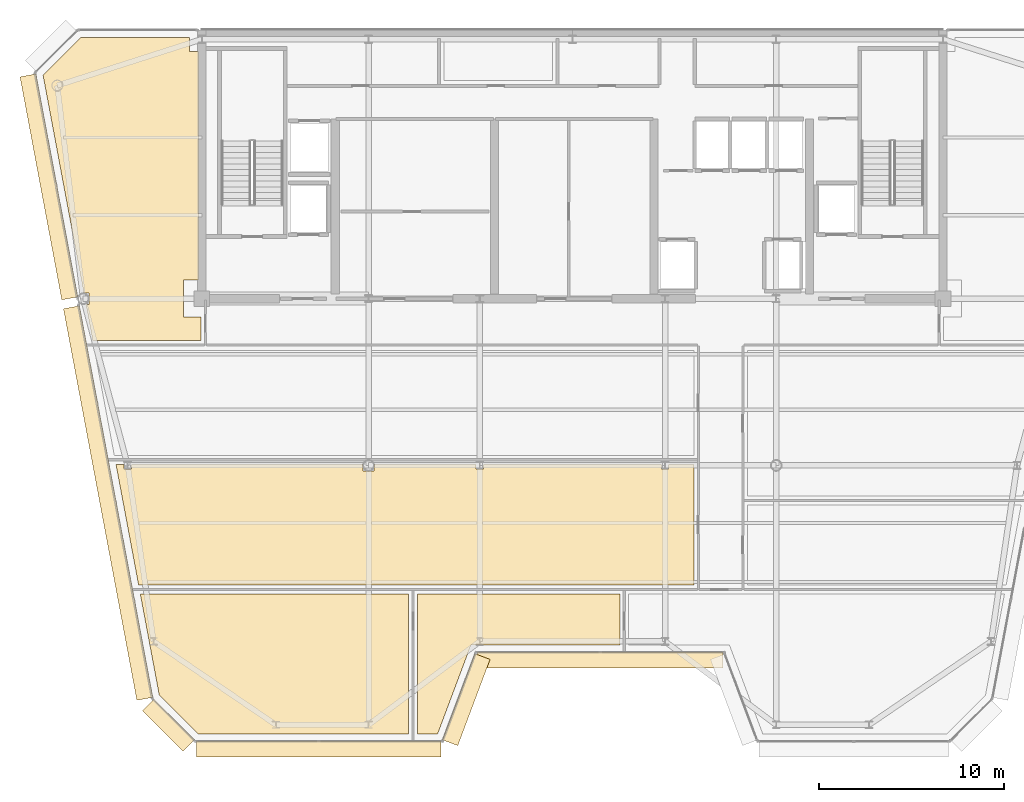
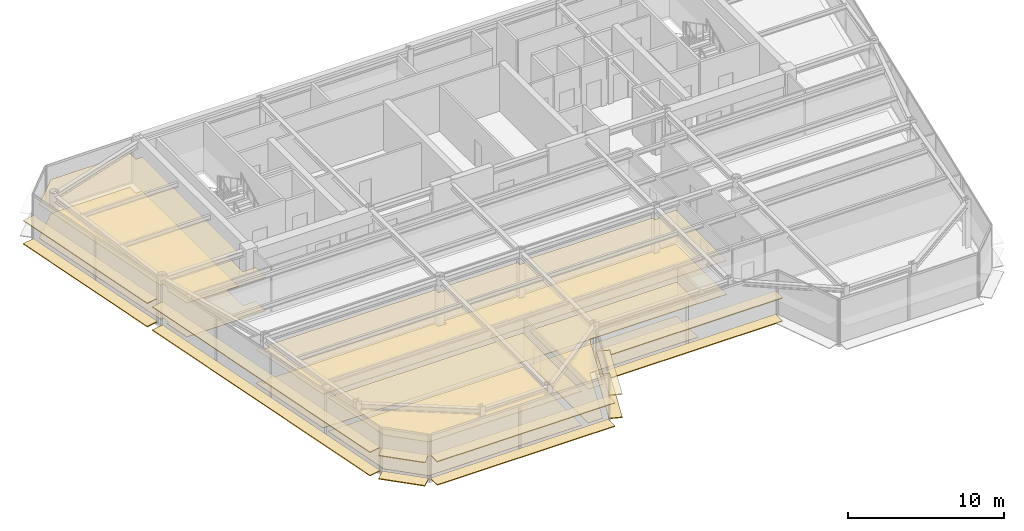
# One storey, part 13 of 19: 20 coverings.
"""IFC4 building model written with IfcOpenShell, lengths in metres."""

from ifc_helpers import new_model, si_unit, direction, frame, origin, origin_2d, place, context, subcontext, project, spatial, polyline, rectangle, outline, extrude, source, transform, mapped, material, layer, layer_set, type_object, element, save


model = new_model("IFC4")

# Units and contexts
model_context = context("Model", 3, precision=1e-05, world=origin(), true_north=direction((0.0, 1.0)))
body_context = subcontext(model_context, "Body", "Model", "MODEL_VIEW")
ifc_project = project(units=[si_unit("LENGTHUNIT", "METRE"), si_unit("AREAUNIT", "SQUARE_METRE"), si_unit("VOLUMEUNIT", "CUBIC_METRE"), si_unit("PLANEANGLEUNIT", "RADIAN"), si_unit("MASSUNIT", "GRAM", prefix="KILO")], contexts=[model_context])

# Site, building, storey
site_placement = place(None, origin())
site = spatial("IfcSite", under=ifc_project, at=site_placement, CompositionType="ELEMENT")
building_placement = place(site_placement, origin())
building = spatial("IfcBuilding", under=site, at=building_placement, Name="Vaeldorn Concourse Tower", CompositionType="ELEMENT")
storey_placement = place(building_placement, frame((0.0, 0.0, 287.800048828125)))
storey = spatial("IfcBuildingStorey", under=building, at=storey_placement, Name="L74", CompositionType="ELEMENT", Elevation=287.800048828125)

# Coverings
ifc_material_1 = material(Name="Acoustic Mineral Fibre Board", Category="gypsum")
ifc_layer_1 = layer(ifc_material_1, 0.0400390625)
ifc_layer_set_1 = layer_set([ifc_layer_1], Name="Acoustic Mineral Fibre Board")
covering_type_1 = type_object("IfcCoveringType", Name="COV-CEIL-ACOUSTIC", PredefinedType="CEILING", material=ifc_layer_set_1)
covering_1_placement = place(storey_placement, frame((0.0, 0.0, 2.64990234375)))
element("IfcCovering", 1, at=covering_1_placement, inside=storey, type_object=covering_type_1, Name="Suspended Acoustic Ceiling L74-3", PredefinedType="CEILING", context=body_context, shape_type="SweptSolid", body=[
    extrude(outline(polyline([(7.4658203125, 50.60009765625), (13.340087890625, 50.60009765625), (13.340087890625, 49.840087890625), (13.820068359375, 49.840087890625), (13.820068359375, 37.5), (13.0, 37.5), (13.0, 35.5), (13.9599609375, 35.5), (13.9599609375, 34.239990234375), (8.11767578125, 34.239990234375), (7.751220703125, 36.195068359375), (7.905029296875, 36.195068359375), (7.905029296875, 36.804931640625), (7.63671875, 36.804931640625), (5.431884765625, 48.56640625), (7.4658203125, 50.60009765625)])), origin(), (0.0, 0.0, 1.0), 0.0400390625),
])
covering_2_placement = place(storey_placement, frame((0.0, 0.0, 2.64990234375)))
element("IfcCovering", 2, at=covering_2_placement, inside=storey, type_object=covering_type_1, Name="Suspended Acoustic Ceiling L74-5", PredefinedType="CEILING", context=body_context, shape_type="SweptSolid", body=[
    extrude(outline(polyline([(9.799560546875, 27.56005859375), (9.799560546875, 27.300537109375), (10.200439453125, 27.300537109375), (10.200439453125, 27.56005859375), (22.695068359375, 27.56005859375), (22.695068359375, 27.195068359375), (23.304931640625, 27.195068359375), (23.304931640625, 27.56005859375), (28.801025390625, 27.56005859375), (28.801025390625, 27.306396484375), (29.198974609375, 27.306396484375), (29.198974609375, 27.56005859375), (38.801025390625, 27.56005859375), (38.801025390625, 27.306396484375), (39.198974609375, 27.306396484375), (39.198974609375, 27.56005859375), (40.56005859375, 27.56005859375), (40.56005859375, 21.0400390625), (10.592041015625, 21.0400390625), (9.369873046875, 27.56005859375), (9.799560546875, 27.56005859375)])), origin(), (0.0, 0.0, 1.0), 0.0400390625),
])
covering_3_placement = place(storey_placement, frame((0.0, 0.0, 2.64990234375)))
element("IfcCovering", 3, at=covering_3_placement, inside=storey, type_object=covering_type_1, Name="Suspended Acoustic Ceiling L74-9", PredefinedType="CEILING", context=body_context, shape_type="SweptSolid", body=[
    extrude(outline(polyline([(25.159912109375, 20.56005859375), (25.159912109375, 13.0), (13.8017578125, 13.0), (11.706298828125, 15.09521484375), (11.687255859375, 15.197509765625), (10.681884765625, 20.56005859375), (25.159912109375, 20.56005859375)])), origin(), (0.0, 0.0, 1.0), 0.0400390625),
])
covering_4_placement = place(storey_placement, frame((0.0, 0.0, 2.64990234375)))
element("IfcCovering", 4, at=covering_4_placement, inside=storey, type_object=covering_type_1, Name="Suspended Acoustic Ceiling L74-10", PredefinedType="CEILING", context=body_context, shape_type="SweptSolid", body=[
    extrude(outline(polyline([(26.722900390625, 13.0), (25.639892578125, 13.0), (25.639892578125, 20.56005859375), (36.56005859375, 20.56005859375), (36.56005859375, 17.800048828125), (28.522705078125, 17.800048828125), (26.722900390625, 13.0)])), origin(), (0.0, 0.0, 1.0), 0.0400390625),
])
ifc_material_2 = material(Name="Honed Limestone Terrazzo Flooring", Category="masonry")
ifc_layer_2 = layer(ifc_material_2, 0.0400390625)
ifc_layer_set_2 = layer_set([ifc_layer_2], Name="Honed Limestone Terrazzo Flooring")
covering_type_2 = type_object("IfcCoveringType", Name="COV-FLOOR-STONE", PredefinedType="FLOORING", material=ifc_layer_set_2)
covering_5_placement = place(storey_placement, origin())
element("IfcCovering", 5, at=covering_5_placement, inside=storey, type_object=covering_type_2, Name="Floor Finish Covering L74-3", PredefinedType="FLOORING", context=body_context, shape_type="SweptSolid", body=[
    extrude(outline(polyline([(7.4658203125, 50.60009765625), (13.340087890625, 50.60009765625), (13.340087890625, 49.840087890625), (13.820068359375, 49.840087890625), (13.820068359375, 37.5), (13.0, 37.5), (13.0, 35.5), (13.9599609375, 35.5), (13.9599609375, 34.239990234375), (8.11767578125, 34.239990234375), (7.751220703125, 36.195068359375), (7.905029296875, 36.195068359375), (7.905029296875, 36.804931640625), (7.63671875, 36.804931640625), (5.431884765625, 48.56640625), (7.4658203125, 50.60009765625)])), origin(), (0.0, 0.0, 1.0), 0.030029296875),
])
covering_6_placement = place(storey_placement, origin())
element("IfcCovering", 6, at=covering_6_placement, inside=storey, type_object=covering_type_2, Name="Floor Finish Covering L74-5", PredefinedType="FLOORING", context=body_context, shape_type="SweptSolid", body=[
    extrude(outline(polyline([(9.799560546875, 27.56005859375), (9.799560546875, 27.300537109375), (10.200439453125, 27.300537109375), (10.200439453125, 27.56005859375), (22.695068359375, 27.56005859375), (22.695068359375, 27.195068359375), (23.304931640625, 27.195068359375), (23.304931640625, 27.56005859375), (28.801025390625, 27.56005859375), (28.801025390625, 27.306396484375), (29.198974609375, 27.306396484375), (29.198974609375, 27.56005859375), (38.801025390625, 27.56005859375), (38.801025390625, 27.306396484375), (39.198974609375, 27.306396484375), (39.198974609375, 27.56005859375), (40.56005859375, 27.56005859375), (40.56005859375, 21.0400390625), (10.592041015625, 21.0400390625), (9.369873046875, 27.56005859375), (9.799560546875, 27.56005859375)])), origin(), (0.0, 0.0, 1.0), 0.030029296875),
])
covering_7_placement = place(storey_placement, origin())
element("IfcCovering", 7, at=covering_7_placement, inside=storey, type_object=covering_type_2, Name="Floor Finish Covering L74-9", PredefinedType="FLOORING", context=body_context, shape_type="SweptSolid", body=[
    extrude(outline(polyline([(25.159912109375, 20.56005859375), (25.159912109375, 13.0), (13.8017578125, 13.0), (11.706298828125, 15.09521484375), (11.687255859375, 15.197509765625), (10.681884765625, 20.56005859375), (25.159912109375, 20.56005859375)])), origin(), (0.0, 0.0, 1.0), 0.030029296875),
])
covering_8_placement = place(storey_placement, origin())
element("IfcCovering", 8, at=covering_8_placement, inside=storey, type_object=covering_type_2, Name="Floor Finish Covering L74-10", PredefinedType="FLOORING", context=body_context, shape_type="SweptSolid", body=[
    extrude(outline(polyline([(26.722900390625, 13.0), (25.639892578125, 13.0), (25.639892578125, 20.56005859375), (36.56005859375, 20.56005859375), (36.56005859375, 17.800048828125), (28.522705078125, 17.800048828125), (26.722900390625, 13.0)])), origin(), (0.0, 0.0, 1.0), 0.030029296875),
])
ifc_material_3 = material(Name="Anodised Bronze Aluminium", Category="aluminium")
ifc_layer_3 = layer(ifc_material_3, 0.06494140625)
ifc_layer_set_3 = layer_set([ifc_layer_3], Name="Anodised Bronze Aluminium")
covering_type_3 = type_object("IfcCoveringType", Name="SD-BRONZE-SUNSHADE", PredefinedType="USERDEFINED", material=ifc_layer_set_3)
shared_shape_1 = source(origin(), body_context, "Body", "SweptSolid", [
    extrude(rectangle(XDim=4.96630859375, YDim=0.8798828125, at=origin_2d()), origin(), (0.0, 0.0, 1.0), 0.06494140625),
])
for number, where, z_axis, x_axis, name in (
    (9, (28.2744140625, 14.859619140625, 0.04736328125), (0.0, 0.0, 1.0), (0.351122702609, 0.936329454686, 0.0), "Horizontal Bronze Sunshade L74-E02.1.1"),
    (10, (28.2744140625, 14.859619140625, 1.867431640625), (0.0, 0.0, 1.0), (0.351122702609, 0.936329454686, 0.0), "Horizontal Bronze Sunshade L74-E02.1.2"),
):
    element("IfcCovering", number, at=place(storey_placement, frame(where, z_axis=z_axis, x_axis=x_axis)), inside=storey, type_object=covering_type_3, Name=name, ObjectType="SUNSHADE", PredefinedType="USERDEFINED", context=body_context, shape_type="MappedRepresentation", body=[
        mapped(shared_shape_1, transform((0.0, 0.0, 0.0), scale=1.0)),
    ])
shared_shape_2 = source(origin(), body_context, "Body", "SweptSolid", [
    extrude(rectangle(XDim=13.239990234375, YDim=0.8798828125, at=origin_2d()), origin(), (0.0, 0.0, 1.0), 0.06494140625),
])
for number, where, z_axis, x_axis, name in (
    (11, (35.5, 17.0, 0.04736328125), (0.0, 0.0, 1.0), (1.0, 0.0, 0.0), "Horizontal Bronze Sunshade L74-E03.1.1"),
    (12, (35.5, 17.0, 1.867431640625), (0.0, 0.0, 1.0), (1.0, 0.0, 0.0), "Horizontal Bronze Sunshade L74-E03.1.2"),
):
    element("IfcCovering", number, at=place(storey_placement, frame(where, z_axis=z_axis, x_axis=x_axis)), inside=storey, type_object=covering_type_3, Name=name, ObjectType="SUNSHADE", PredefinedType="USERDEFINED", context=body_context, shape_type="MappedRepresentation", body=[
        mapped(shared_shape_2, transform((0.0, 0.0, 0.0), scale=1.0)),
    ])
shared_shape_3 = source(origin(), body_context, "Body", "SweptSolid", [
    extrude(rectangle(XDim=3.0927734375, YDim=0.8798828125, at=origin_2d()), origin(), (0.0, 0.0, 1.0), 0.06494140625),
])
for number, where, z_axis, x_axis, name in (
    (13, (12.203125, 13.46728515625, 0.04736328125), (0.0, 0.0, 1.0), (0.707106781187, -0.707106781187, 0.0), "Horizontal Bronze Sunshade L74-E12.1.1"),
    (14, (12.203125, 13.46728515625, 1.867431640625), (0.0, 0.0, 1.0), (0.707106781187, -0.707106781187, 0.0), "Horizontal Bronze Sunshade L74-E12.1.2"),
):
    element("IfcCovering", number, at=place(storey_placement, frame(where, z_axis=z_axis, x_axis=x_axis)), inside=storey, type_object=covering_type_3, Name=name, ObjectType="SUNSHADE", PredefinedType="USERDEFINED", context=body_context, shape_type="MappedRepresentation", body=[
        mapped(shared_shape_3, transform((0.0, 0.0, 0.0), scale=1.0)),
    ])
shared_shape_4 = source(origin(), body_context, "Body", "SweptSolid", [
    extrude(rectangle(XDim=21.49560546875, YDim=0.8798828125, at=origin_2d()), origin(), (0.0, 0.0, 1.0), 0.06494140625),
])
for number, where, z_axis, x_axis, name in (
    (15, (8.94775390625, 25.46875, 0.04736328125), (0.0, 0.0, 1.0), (0.1842429853, -0.98288072642, 0.0), "Horizontal Bronze Sunshade L74-E11.2.1"),
    (16, (8.94775390625, 25.46875, 1.867431640625), (0.0, 0.0, 1.0), (0.1842429853, -0.98288072642, 0.0), "Horizontal Bronze Sunshade L74-E11.2.2"),
):
    element("IfcCovering", number, at=place(storey_placement, frame(where, z_axis=z_axis, x_axis=x_axis)), inside=storey, type_object=covering_type_3, Name=name, ObjectType="SUNSHADE", PredefinedType="USERDEFINED", context=body_context, shape_type="MappedRepresentation", body=[
        mapped(shared_shape_4, transform((0.0, 0.0, 0.0), scale=1.0)),
    ])
shared_shape_5 = source(origin(), body_context, "Body", "SweptSolid", [
    extrude(rectangle(XDim=12.241943359375, YDim=0.8798828125, at=origin_2d()), origin(), (0.0, 0.0, 1.0), 0.06494140625),
])
for number, where, z_axis, x_axis, name in (
    (17, (5.749267578125, 42.531494140625, 0.04736328125), (0.0, 0.0, 1.0), (0.1842429853, -0.98288072642, 0.0), "Horizontal Bronze Sunshade L74-E11.1.1"),
    (18, (5.749267578125, 42.531494140625, 1.867431640625), (0.0, 0.0, 1.0), (0.1842429853, -0.98288072642, 0.0), "Horizontal Bronze Sunshade L74-E11.1.2"),
):
    element("IfcCovering", number, at=place(storey_placement, frame(where, z_axis=z_axis, x_axis=x_axis)), inside=storey, type_object=covering_type_3, Name=name, ObjectType="SUNSHADE", PredefinedType="USERDEFINED", context=body_context, shape_type="MappedRepresentation", body=[
        mapped(shared_shape_5, transform((0.0, 0.0, 0.0), scale=1.0)),
    ])
shared_shape_6 = source(origin(), body_context, "Body", "SweptSolid", [
    extrude(rectangle(XDim=13.2041015625, YDim=0.8798828125, at=origin_2d()), origin(), (0.0, 0.0, 1.0), 0.06494140625),
])
for number, where, z_axis, x_axis, name in (
    (19, (20.318115234375, 12.199951171875, 0.04736328125), (0.0, 0.0, 1.0), (1.0, 0.0, 0.0), "Horizontal Bronze Sunshade L74-E01.1.1"),
    (20, (20.318115234375, 12.199951171875, 1.867431640625), (0.0, 0.0, 1.0), (1.0, 0.0, 0.0), "Horizontal Bronze Sunshade L74-E01.1.2"),
):
    element("IfcCovering", number, at=place(storey_placement, frame(where, z_axis=z_axis, x_axis=x_axis)), inside=storey, type_object=covering_type_3, Name=name, ObjectType="SUNSHADE", PredefinedType="USERDEFINED", context=body_context, shape_type="MappedRepresentation", body=[
        mapped(shared_shape_6, transform((0.0, 0.0, 0.0), scale=1.0)),
    ])

save(model, "model.ifc")
